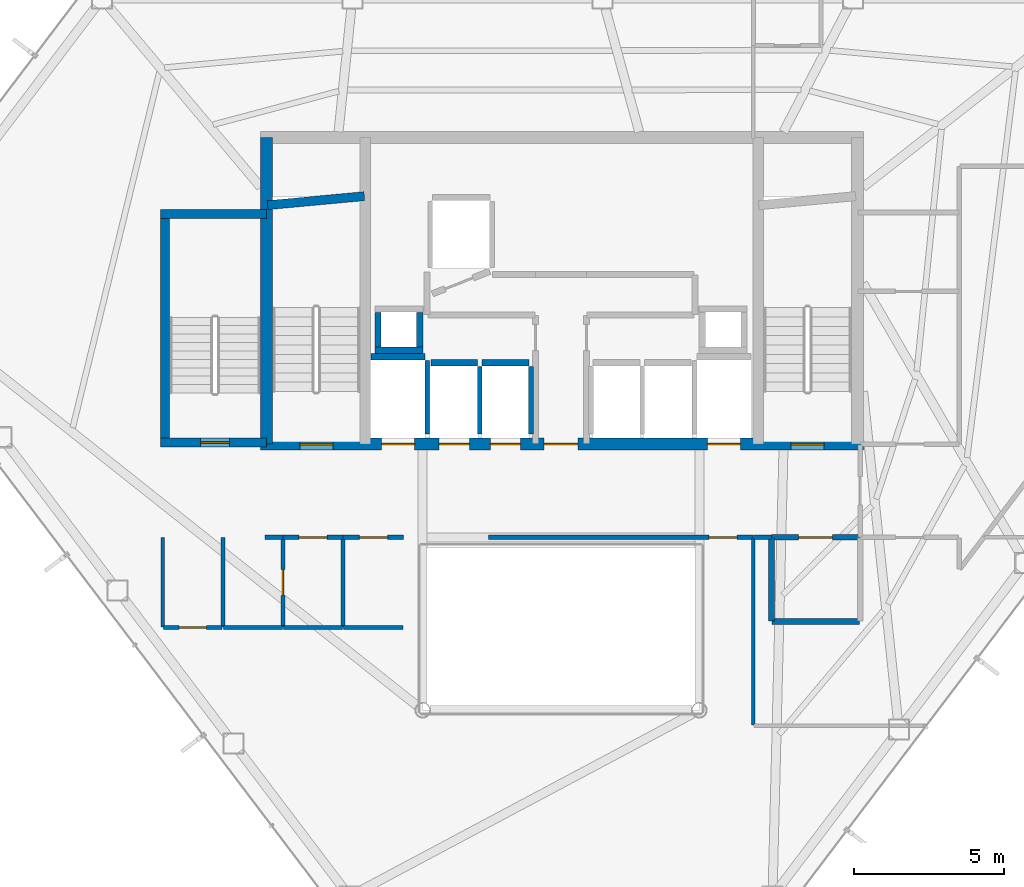
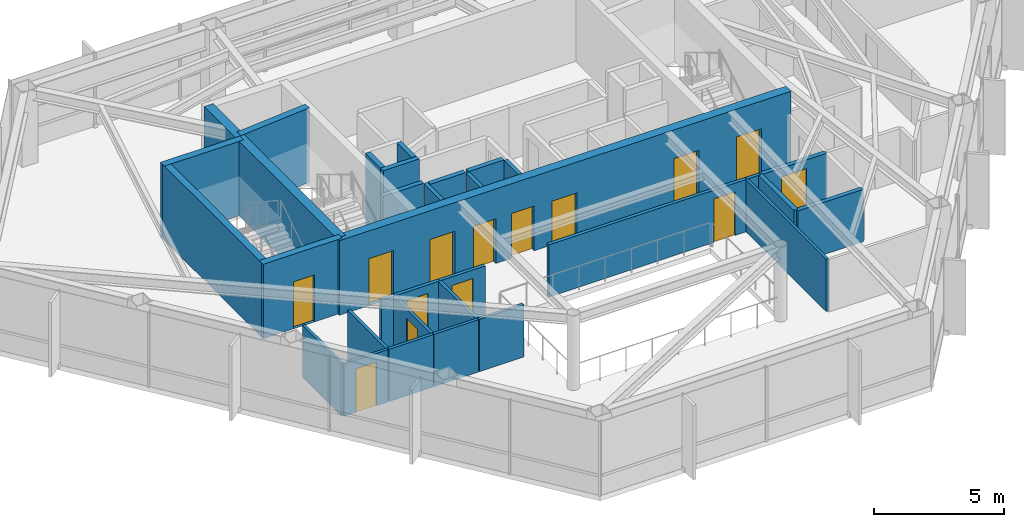
# One storey, part 24 of 27: 32 walls, 14 doors, 14 openings.
"""IFC4 building model written with IfcOpenShell, lengths in metres."""

from ifc_helpers import new_model, si_unit, direction, frame, frame_2d, origin, place, context, subcontext, project, spatial, rectangle, extrude, material, layer, layer_set, type_object, element, fill, save


model = new_model("IFC4")

# Units and contexts
model_context = context("Model", 3, precision=1e-05, world=origin(), true_north=direction((0.0, 1.0)))
body_context = subcontext(model_context, "Body", "Model", "MODEL_VIEW")
ifc_project = project(units=[si_unit("LENGTHUNIT", "METRE"), si_unit("AREAUNIT", "SQUARE_METRE"), si_unit("VOLUMEUNIT", "CUBIC_METRE"), si_unit("PLANEANGLEUNIT", "RADIAN"), si_unit("MASSUNIT", "GRAM", prefix="KILO")], contexts=[model_context])

# Site, building, storey
site_placement = place(None, origin())
site = spatial("IfcSite", under=ifc_project, at=site_placement, CompositionType="ELEMENT")
building_placement = place(site_placement, origin())
building = spatial("IfcBuilding", under=site, at=building_placement, Name="Zarrinselat Tower", CompositionType="ELEMENT")
storey_placement = place(building_placement, frame((0.0, 0.0, 175.780029296875)))
storey = spatial("IfcBuildingStorey", under=building, at=storey_placement, Name="L43", CompositionType="ELEMENT", Elevation=175.780029296875)

# Wall, opening, door
ifc_material_1 = material(Name="Concrete C40/50", Category="concrete")
ifc_layer_1 = layer(ifc_material_1, 0.18994140625)
ifc_layer_set_1 = layer_set([ifc_layer_1], Name="Concrete C40/50")
wall_type_1 = type_object("IfcWallType", Name="WAL-PART-EI120", PredefinedType="PARTITIONING", material=ifc_layer_set_1)
wall_1_placement = place(storey_placement, frame((45.405029296875, 30.14990234375, 0.0), z_axis=(0.0, 0.0, 1.0), x_axis=(1.0, 0.0, 0.0)))
wall_1 = element("IfcWall", 1, at=wall_1_placement, inside=storey, type_object=wall_type_1, Name="L43 Partition Wall 10", PredefinedType="PARTITIONING", context=body_context, shape_type="SweptSolid", body=[
    extrude(rectangle(XDim=2.925048828125, YDim=0.18994140625, at=frame_2d((1.46240234375, 0.0))), origin(), (0.0, 0.0, 1.0), 2.45703125),
])
opening_1_placement = place(wall_1_placement, frame((0.902587890625, 0.0, 0.0)))
opening_1 = element("IfcOpeningElement", 2, at=opening_1_placement, cuts=wall_1, Name="Opening ID-02", PredefinedType="OPENING", context=body_context, shape_type="SweptSolid", body=[
    extrude(rectangle(XDim=1.1201171875, YDim=2.050048828125, at=frame_2d((0.56005859375, 1.02490234375))), frame((0.0, 0.10498046875, 0.0), z_axis=(0.0, -1.0, 0.0), x_axis=(1.0, 0.0, 0.0)), (0.0, 0.0, 1.0), 0.2099609375),
])
ifc_material_2 = material(Name="Steel S355J2", Category="steel")
door_type_1 = type_object("IfcDoorType", Name="DR-INT-FD60-W", OperationType="NOTDEFINED", PredefinedType="DOOR", material=ifc_material_2)
door_1_placement = place(opening_1_placement, origin())
door_1 = element("IfcDoor", 3, at=door_1_placement, inside=storey, type_object=door_type_1, Name="L43 Interior Door P10", OperationType="SINGLE_SWING_LEFT", OverallHeight=2.050048828125, OverallWidth=1.1201171875, PredefinedType="DOOR", context=body_context, shape_type="SweptSolid", body=[
    extrude(rectangle(XDim=1.1201171875, YDim=2.050048828125, at=frame_2d((0.56005859375, 1.02490234375))), frame((0.0, 0.02490234375, 0.0), z_axis=(0.0, -1.0, 0.0), x_axis=(1.0, 0.0, 0.0)), (0.0, 0.0, 1.0), 0.050048828125),
])
fill(opening_1, door_1)

# Walls
wall_2_placement = place(storey_placement, frame((45.419921875, 27.35009765625, 0.0), z_axis=(0.0, 0.0, 1.0), x_axis=(1.0, 0.0, 0.0)))
element("IfcWall", 4, at=wall_2_placement, inside=storey, type_object=wall_type_1, Name="L43 Partition Wall 17", PredefinedType="PARTITIONING", context=body_context, shape_type="SweptSolid", body=[
    extrude(rectangle(XDim=2.91015625, YDim=0.18994140625, at=frame_2d((1.455078125, 0.0))), origin(), (0.0, 0.0, 1.0), 2.45703125),
])
wall_3_placement = place(storey_placement, frame((45.39990234375, 27.3701171875, 0.0), z_axis=(0.0, 0.0, 1.0), x_axis=(0.0, 1.0, 0.0)))
element("IfcWall", 5, at=wall_3_placement, inside=storey, type_object=wall_type_1, Name="L43 Partition Wall 18", PredefinedType="PARTITIONING", context=body_context, shape_type="SweptSolid", body=[
    extrude(rectangle(XDim=2.759765625, YDim=0.18994140625, at=frame_2d((1.3798828125, 0.0))), origin(), (0.0, 0.0, 1.0), 2.45703125),
])
ifc_material_3 = material(Name="Fire-Rated Gypsum Board Partition", Category="gypsum")
ifc_layer_2 = layer(ifc_material_3, 0.14990234375)
ifc_layer_set_2 = layer_set([ifc_layer_2], Name="Fire-Rated Gypsum Board Partition")
wall_type_2 = type_object("IfcWallType", Name="WAL-PART-EI60", PredefinedType="PARTITIONING", material=ifc_layer_set_2)
wall_4_placement = place(storey_placement, frame((28.550048828125, 30.14990234375, 0.0), z_axis=(0.0, 0.0, 1.0), x_axis=(1.0, 0.0, 0.0)))
element("IfcWall", 6, at=wall_4_placement, inside=storey, type_object=wall_type_2, Name="L43 Partition Wall 12", PredefinedType="PARTITIONING", context=body_context, shape_type="SweptSolid", body=[
    extrude(rectangle(XDim=0.594970703125, YDim=0.14990234375, at=frame_2d((0.29736328125, 0.0))), origin(), (0.0, 0.0, 1.0), 2.45703125),
])

# Wall, opening, door
wall_5_placement = place(storey_placement, frame((29.155029296875, 30.14990234375, 0.0), z_axis=(0.0, 0.0, 1.0), x_axis=(1.0, 0.0, 0.0)))
wall_5 = element("IfcWall", 7, at=wall_5_placement, inside=storey, type_object=wall_type_2, Name="L43 Partition Wall 13", PredefinedType="PARTITIONING", context=body_context, shape_type="SweptSolid", body=[
    extrude(rectangle(XDim=1.989990234375, YDim=0.14990234375, at=frame_2d((0.9951171875, 0.0))), origin(), (0.0, 0.0, 1.0), 2.45703125),
])
opening_2_placement = place(wall_5_placement, frame((0.52490234375, 0.0, 0.0)))
opening_2 = element("IfcOpeningElement", 8, at=opening_2_placement, cuts=wall_5, Name="Opening ID-04", PredefinedType="OPENING", context=body_context, shape_type="SweptSolid", body=[
    extrude(rectangle(XDim=0.93994140625, YDim=2.050048828125, at=frame_2d((0.469970703125, 1.02490234375))), frame((0.0, 0.0849609375, 0.0), z_axis=(0.0, -1.0, 0.0), x_axis=(1.0, 0.0, 0.0)), (0.0, 0.0, 1.0), 0.169921875),
])
ifc_material_4 = material(Name="Fire-Rated Gypsum Board Partition")
door_type_2 = type_object("IfcDoorType", Name="DR-INT-FD30-ENT", OperationType="NOTDEFINED", PredefinedType="DOOR", material=ifc_material_4)
door_2_placement = place(opening_2_placement, origin())
door_2 = element("IfcDoor", 9, at=door_2_placement, inside=storey, type_object=door_type_2, Name="L43 Interior Door P13", OperationType="SINGLE_SWING_LEFT", OverallHeight=2.050048828125, OverallWidth=0.93994140625, PredefinedType="DOOR", context=body_context, shape_type="SweptSolid", body=[
    extrude(rectangle(XDim=0.93994140625, YDim=2.050048828125, at=frame_2d((0.469970703125, 1.02490234375))), frame((0.0, 0.02490234375, 0.0), z_axis=(0.0, -1.0, 0.0), x_axis=(1.0, 0.0, 0.0)), (0.0, 0.0, 1.0), 0.050048828125),
])
fill(opening_2, door_2)

wall_6_placement = place(storey_placement, frame((31.155029296875, 30.14990234375, 0.0), z_axis=(0.0, 0.0, 1.0), x_axis=(1.0, 0.0, 0.0)))
wall_6 = element("IfcWall", 10, at=wall_6_placement, inside=storey, type_object=wall_type_2, Name="L43 Partition Wall 14", PredefinedType="PARTITIONING", context=body_context, shape_type="SweptSolid", body=[
    extrude(rectangle(XDim=2.010009765625, YDim=0.14990234375, at=frame_2d((1.0048828125, 0.0))), origin(), (0.0, 0.0, 1.0), 2.45703125),
])
opening_3_placement = place(wall_6_placement, frame((0.534912109375, 0.0, 0.0)))
opening_3 = element("IfcOpeningElement", 11, at=opening_3_placement, cuts=wall_6, Name="Opening ID-04", PredefinedType="OPENING", context=body_context, shape_type="SweptSolid", body=[
    extrude(rectangle(XDim=0.93994140625, YDim=2.050048828125, at=frame_2d((0.469970703125, 1.02490234375))), frame((0.0, 0.0849609375, 0.0), z_axis=(0.0, -1.0, 0.0), x_axis=(1.0, 0.0, 0.0)), (0.0, 0.0, 1.0), 0.169921875),
])
door_3_placement = place(opening_3_placement, origin())
door_3 = element("IfcDoor", 12, at=door_3_placement, inside=storey, type_object=door_type_2, Name="L43 Interior Door P14", OperationType="SINGLE_SWING_RIGHT", OverallHeight=2.050048828125, OverallWidth=0.93994140625, PredefinedType="DOOR", context=body_context, shape_type="SweptSolid", body=[
    extrude(rectangle(XDim=0.93994140625, YDim=2.050048828125, at=frame_2d((0.469970703125, 1.02490234375))), frame((0.0, 0.02490234375, 0.0), z_axis=(0.0, -1.0, 0.0), x_axis=(1.0, 0.0, 0.0)), (0.0, 0.0, 1.0), 0.050048828125),
])
fill(opening_3, door_3)

wall_7_placement = place(storey_placement, frame((35.985107421875, 30.14990234375, 0.0), z_axis=(0.0, 0.0, 1.0), x_axis=(1.0, 0.0, 0.0)))
wall_7 = element("IfcWall", 13, at=wall_7_placement, inside=storey, type_object=wall_type_2, Name="L43 Partition Wall 15", PredefinedType="PARTITIONING", context=body_context, shape_type="SweptSolid", body=[
    extrude(rectangle(XDim=8.809814453125, YDim=0.14990234375, at=frame_2d((4.40478515625, 0.0))), origin(), (0.0, 0.0, 1.0), 2.45703125),
])
opening_4_placement = place(wall_7_placement, frame((7.3349609375, 0.0, 0.0)))
opening_4 = element("IfcOpeningElement", 14, at=opening_4_placement, cuts=wall_7, Name="Opening ID-04", PredefinedType="OPENING", context=body_context, shape_type="SweptSolid", body=[
    extrude(rectangle(XDim=0.93994140625, YDim=2.050048828125, at=frame_2d((0.469970703125, 1.02490234375))), frame((0.0, 0.0849609375, 0.0), z_axis=(0.0, -1.0, 0.0), x_axis=(1.0, 0.0, 0.0)), (0.0, 0.0, 1.0), 0.169921875),
])
door_4_placement = place(opening_4_placement, origin())
door_4 = element("IfcDoor", 15, at=door_4_placement, inside=storey, type_object=door_type_2, Name="L43 Interior Door P15", OperationType="SINGLE_SWING_LEFT", OverallHeight=2.050048828125, OverallWidth=0.93994140625, PredefinedType="DOOR", context=body_context, shape_type="SweptSolid", body=[
    extrude(rectangle(XDim=0.93994140625, YDim=2.050048828125, at=frame_2d((0.469970703125, 1.02490234375))), frame((0.0, 0.02490234375, 0.0), z_axis=(0.0, -1.0, 0.0), x_axis=(1.0, 0.0, 0.0)), (0.0, 0.0, 1.0), 0.050048828125),
])
fill(opening_4, door_4)

# Wall
wall_8_placement = place(storey_placement, frame((44.804931640625, 30.14990234375, 0.0), z_axis=(0.0, 0.0, 1.0), x_axis=(1.0, 0.0, 0.0)))
element("IfcWall", 16, at=wall_8_placement, inside=storey, type_object=wall_type_2, Name="L43 Partition Wall 16", PredefinedType="PARTITIONING", context=body_context, shape_type="SweptSolid", body=[
    extrude(rectangle(XDim=0.590087890625, YDim=0.14990234375, at=frame_2d((0.294921875, 0.0))), origin(), (0.0, 0.0, 1.0), 2.45703125),
])

# Wall, opening, door
ifc_material_5 = material(Name="Fire-Rated Gypsum Board Partition", Category="gypsum")
ifc_layer_3 = layer(ifc_material_5, 0.1201171875)
ifc_layer_set_3 = layer_set([ifc_layer_3], Name="Fire-Rated Gypsum Board Partition")
wall_type_3 = type_object("IfcWallType", Name="WAL-PART-STD", PredefinedType="PARTITIONING", material=ifc_layer_set_3)
wall_9_placement = place(storey_placement, frame((25.169921875, 27.14990234375, 0.0), z_axis=(0.0, 0.0, 1.0), x_axis=(1.0, 0.0, 0.0)))
wall_9 = element("IfcWall", 17, at=wall_9_placement, inside=storey, type_object=wall_type_3, Name="L43 Partition Wall 31", PredefinedType="PARTITIONING", context=body_context, shape_type="SweptSolid", body=[
    extrude(rectangle(XDim=1.9599609375, YDim=0.1201171875, at=frame_2d((0.97998046875, 0.0))), origin(), (0.0, 0.0, 1.0), 2.45703125),
])
opening_5_placement = place(wall_9_placement, frame((0.530029296875, 0.0, 0.0)))
opening_5 = element("IfcOpeningElement", 18, at=opening_5_placement, cuts=wall_9, Name="Opening ID-05", PredefinedType="OPENING", context=body_context, shape_type="SweptSolid", body=[
    extrude(rectangle(XDim=0.89990234375, YDim=2.050048828125, at=frame_2d((0.449951171875, 1.02490234375))), frame((0.0, 0.070068359375, 0.0), z_axis=(0.0, -1.0, 0.0), x_axis=(1.0, 0.0, 0.0)), (0.0, 0.0, 1.0), 0.14013671875),
])
ifc_material_6 = material(Name="Extruded Aluminium Alloy EN AW-6063 T6", Category="aluminium")
door_type_3 = type_object("IfcDoorType", Name="DR-INT-STD-920", OperationType="NOTDEFINED", PredefinedType="DOOR", material=ifc_material_6)
door_5_placement = place(opening_5_placement, origin())
door_5 = element("IfcDoor", 19, at=door_5_placement, inside=storey, type_object=door_type_3, Name="L43 Interior Door P31", OperationType="SINGLE_SWING_RIGHT", OverallHeight=2.050048828125, OverallWidth=0.89990234375, PredefinedType="DOOR", context=body_context, shape_type="SweptSolid", body=[
    extrude(rectangle(XDim=0.89990234375, YDim=2.050048828125, at=frame_2d((0.449951171875, 1.02490234375))), frame((0.0, 0.02490234375, 0.0), z_axis=(0.0, -1.0, 0.0), x_axis=(1.0, 0.0, 0.0)), (0.0, 0.0, 1.0), 0.050048828125),
])
fill(opening_5, door_5)

# Walls
wall_10_placement = place(storey_placement, frame((25.14990234375, 27.169921875, 0.0), z_axis=(0.0, 0.0, 1.0), x_axis=(0.0, 1.0, 0.0)))
element("IfcWall", 20, at=wall_10_placement, inside=storey, type_object=wall_type_3, Name="L43 Partition Wall 32", PredefinedType="PARTITIONING", context=body_context, shape_type="SweptSolid", body=[
    extrude(rectangle(XDim=2.97998046875, YDim=0.1201171875, at=frame_2d((1.489990234375, 0.0))), origin(), (0.0, 0.0, 1.0), 2.45703125),
])
wall_11_placement = place(storey_placement, frame((44.800048828125, 23.902587890625, 0.0), z_axis=(0.0, 0.0, 1.0), x_axis=(0.0, 1.0, 0.0)))
element("IfcWall", 21, at=wall_11_placement, inside=storey, type_object=wall_type_3, Name="L43 Partition Wall 38", PredefinedType="PARTITIONING", context=body_context, shape_type="SweptSolid", body=[
    extrude(rectangle(XDim=6.227294921875, YDim=0.1201171875, at=frame_2d((3.11376953125, 0.0))), origin(), (0.0, 0.0, 1.0), 2.45703125),
])
ifc_material_7 = material(Name="Fire-Rated Gypsum Board Partition", Category="gypsum")
ifc_layer_4 = layer(ifc_material_7, 0.135009765625)
ifc_layer_set_4 = layer_set([ifc_layer_4], Name="Fire-Rated Gypsum Board Partition")
wall_type_4 = type_object("IfcWallType", Name="WAL-PART-WET", PredefinedType="PARTITIONING", material=ifc_layer_set_4)
wall_12_placement = place(storey_placement, frame((27.14990234375, 27.169921875, 0.0), z_axis=(0.0, 0.0, 1.0), x_axis=(0.0, 1.0, 0.0)))
element("IfcWall", 22, at=wall_12_placement, inside=storey, type_object=wall_type_4, Name="L43 Partition Wall 30", PredefinedType="PARTITIONING", context=body_context, shape_type="SweptSolid", body=[
    extrude(rectangle(XDim=2.97998046875, YDim=0.135009765625, at=frame_2d((1.489990234375, 0.0))), origin(), (0.0, 0.0, 1.0), 2.45703125),
])

# Wall, opening, door
wall_13_placement = place(storey_placement, frame((29.14990234375, 27.169921875, 0.0), z_axis=(0.0, 0.0, 1.0), x_axis=(0.0, 1.0, 0.0)))
wall_13 = element("IfcWall", 23, at=wall_13_placement, inside=storey, type_object=wall_type_4, Name="L43 Partition Wall 33", PredefinedType="PARTITIONING", context=body_context, shape_type="SweptSolid", body=[
    extrude(rectangle(XDim=2.9599609375, YDim=0.135009765625, at=frame_2d((1.47998046875, 0.0))), origin(), (0.0, 0.0, 1.0), 2.45703125),
])
opening_6_placement = place(wall_13_placement, frame((1.050048828125, 0.0, 0.0)))
opening_6 = element("IfcOpeningElement", 24, at=opening_6_placement, cuts=wall_13, Name="Opening ID-06", PredefinedType="OPENING", context=body_context, shape_type="SweptSolid", body=[
    extrude(rectangle(XDim=0.860107421875, YDim=2.050048828125, at=frame_2d((0.43017578125, 1.02490234375))), frame((0.0, 0.077392578125, 0.0), z_axis=(0.0, -1.0, 0.0), x_axis=(1.0, 0.0, 0.0)), (0.0, 0.0, 1.0), 0.155029296875),
])
ifc_material_8 = material(Name="Extruded Aluminium Alloy EN AW-6063 T6", Category="aluminium")
door_type_4 = type_object("IfcDoorType", Name="DR-INT-WET-900", OperationType="NOTDEFINED", PredefinedType="DOOR", material=ifc_material_8)
door_6_placement = place(opening_6_placement, origin())
door_6 = element("IfcDoor", 25, at=door_6_placement, inside=storey, type_object=door_type_4, Name="L43 Interior Door P33", OperationType="SINGLE_SWING_LEFT", OverallHeight=2.050048828125, OverallWidth=0.860107421875, PredefinedType="DOOR", context=body_context, shape_type="SweptSolid", body=[
    extrude(rectangle(XDim=0.860107421875, YDim=2.050048828125, at=frame_2d((0.43017578125, 1.02490234375))), frame((0.0, 0.02490234375, 0.0), z_axis=(0.0, -1.0, 0.0), x_axis=(1.0, 0.0, 0.0)), (0.0, 0.0, 1.0), 0.050048828125),
])
fill(opening_6, door_6)

# Walls
wall_14_placement = place(storey_placement, frame((27.169921875, 27.14990234375, 0.0), z_axis=(0.0, 0.0, 1.0), x_axis=(1.0, 0.0, 0.0)))
element("IfcWall", 26, at=wall_14_placement, inside=storey, type_object=wall_type_4, Name="L43 Partition Wall 34", PredefinedType="PARTITIONING", context=body_context, shape_type="SweptSolid", body=[
    extrude(rectangle(XDim=1.9599609375, YDim=0.135009765625, at=frame_2d((0.97998046875, 0.0))), origin(), (0.0, 0.0, 1.0), 2.45703125),
])
wall_15_placement = place(storey_placement, frame((31.14990234375, 27.169921875, 0.0), z_axis=(0.0, 0.0, 1.0), x_axis=(0.0, 1.0, 0.0)))
element("IfcWall", 27, at=wall_15_placement, inside=storey, type_object=wall_type_4, Name="L43 Partition Wall 35", PredefinedType="PARTITIONING", context=body_context, shape_type="SweptSolid", body=[
    extrude(rectangle(XDim=2.9599609375, YDim=0.135009765625, at=frame_2d((1.47998046875, 0.0))), origin(), (0.0, 0.0, 1.0), 2.45703125),
])
wall_16_placement = place(storey_placement, frame((29.169921875, 27.14990234375, 0.0), z_axis=(0.0, 0.0, 1.0), x_axis=(1.0, 0.0, 0.0)))
element("IfcWall", 28, at=wall_16_placement, inside=storey, type_object=wall_type_4, Name="L43 Partition Wall 36", PredefinedType="PARTITIONING", context=body_context, shape_type="SweptSolid", body=[
    extrude(rectangle(XDim=1.9599609375, YDim=0.135009765625, at=frame_2d((0.97998046875, 0.0))), origin(), (0.0, 0.0, 1.0), 2.45703125),
])
wall_17_placement = place(storey_placement, frame((31.169921875, 27.14990234375, 0.0), z_axis=(0.0, 0.0, 1.0), x_axis=(1.0, 0.0, 0.0)))
element("IfcWall", 29, at=wall_17_placement, inside=storey, type_object=wall_type_4, Name="L43 Partition Wall 37", PredefinedType="PARTITIONING", context=body_context, shape_type="SweptSolid", body=[
    extrude(rectangle(XDim=1.97998046875, YDim=0.135009765625, at=frame_2d((0.989990234375, 0.0))), origin(), (0.0, 0.0, 1.0), 2.45703125),
])
ifc_material_9 = material(Name="Concrete C40/50", Category="concrete")
ifc_layer_5 = layer(ifc_material_9, 0.2099609375)
ifc_layer_set_5 = layer_set([ifc_layer_5], Name="Concrete C40/50")
wall_type_5 = type_object("IfcWallType", Name="WAL-SHAFT-210", PredefinedType="SOLIDWALL", material=ifc_layer_set_5)
wall_18_placement = place(storey_placement, frame((32.080078125, 36.155029296875, 0.0), z_axis=(0.0, 0.0, 1.0), x_axis=(1.0, 0.0, 0.0)))
element("IfcWall", 30, at=wall_18_placement, inside=storey, type_object=wall_type_5, Name="L43 Lift FFL1 North Shaft Wall", PredefinedType="SOLIDWALL", context=body_context, shape_type="SweptSolid", body=[
    extrude(rectangle(XDim=1.7998046875, YDim=0.2099609375, at=frame_2d((0.89990234375, 0.0))), origin(), (0.0, 0.0, 1.0), 2.471923828125),
])
wall_19_placement = place(storey_placement, frame((33.949951171875, 33.580078125, 0.0), z_axis=(0.0, 0.0, 1.0), x_axis=(0.0, 1.0, 0.0)))
element("IfcWall", 31, at=wall_19_placement, inside=storey, type_object=wall_type_5, Name="L43 Lift FFL1 E Shaft Wall", PredefinedType="SOLIDWALL", context=body_context, shape_type="SweptSolid", body=[
    extrude(rectangle(XDim=2.449951171875, YDim=0.159912109375, at=frame_2d((1.22509765625, 0.0))), origin(), (0.0, 0.0, 1.0), 2.471923828125),
])
wall_20_placement = place(storey_placement, frame((34.070068359375, 35.955078125, 0.0), z_axis=(0.0, 0.0, 1.0), x_axis=(1.0, 0.0, 0.0)))
element("IfcWall", 32, at=wall_20_placement, inside=storey, type_object=wall_type_5, Name="L43 Lift PL5 North Shaft Wall", PredefinedType="SOLIDWALL", context=body_context, shape_type="SweptSolid", body=[
    extrude(rectangle(XDim=1.559814453125, YDim=0.2099609375, at=frame_2d((0.77978515625, 0.0))), origin(), (0.0, 0.0, 1.0), 2.471923828125),
])
wall_21_placement = place(storey_placement, frame((35.699951171875, 33.580078125, 0.0), z_axis=(0.0, 0.0, 1.0), x_axis=(0.0, 1.0, 0.0)))
element("IfcWall", 33, at=wall_21_placement, inside=storey, type_object=wall_type_5, Name="L43 Lift PL5 E Shaft Wall", PredefinedType="SOLIDWALL", context=body_context, shape_type="SweptSolid", body=[
    extrude(rectangle(XDim=2.25, YDim=0.159912109375, at=frame_2d((1.125, 0.0))), origin(), (0.0, 0.0, 1.0), 2.471923828125),
])
wall_22_placement = place(storey_placement, frame((35.77001953125, 35.955078125, 0.0), z_axis=(0.0, 0.0, 1.0), x_axis=(1.0, 0.0, 0.0)))
element("IfcWall", 34, at=wall_22_placement, inside=storey, type_object=wall_type_5, Name="L43 Lift PL6 North Shaft Wall", PredefinedType="SOLIDWALL", context=body_context, shape_type="SweptSolid", body=[
    extrude(rectangle(XDim=1.56005859375, YDim=0.2099609375, at=frame_2d((0.780029296875, 0.0))), origin(), (0.0, 0.0, 1.0), 2.471923828125),
])
wall_23_placement = place(storey_placement, frame((37.39990234375, 33.580078125, 0.0), z_axis=(0.0, 0.0, 1.0), x_axis=(0.0, 1.0, 0.0)))
element("IfcWall", 35, at=wall_23_placement, inside=storey, type_object=wall_type_5, Name="L43 Lift PL6 E Shaft Wall", PredefinedType="SOLIDWALL", context=body_context, shape_type="SweptSolid", body=[
    extrude(rectangle(XDim=2.25, YDim=0.159912109375, at=frame_2d((1.125, 0.0))), origin(), (0.0, 0.0, 1.0), 2.471923828125),
])
wall_24_placement = place(storey_placement, frame((32.2099609375, 36.375, 0.0), z_axis=(0.0, 0.0, 1.0), x_axis=(1.0, 0.0, 0.0)))
element("IfcWall", 36, at=wall_24_placement, inside=storey, type_object=wall_type_5, Name="L43 Core Riser RSR-W S Shaft Wall", PredefinedType="SOLIDWALL", context=body_context, shape_type="SweptSolid", body=[
    extrude(rectangle(XDim=1.60009765625, YDim=0.2099609375, at=frame_2d((0.800048828125, 0.0))), origin(), (0.0, 0.0, 1.0), 3.5),
])
for number, where, z_axis, x_axis, name in (
    (37, (32.31494140625, 36.485107421875, 0.0), (0.0, 0.0, 1.0), (0.0, 1.0, 0.0), "L43 Core Riser RSR-W W Shaft Wall"),
    (38, (33.705078125, 36.485107421875, 0.0), (0.0, 0.0, 1.0), (0.0, 1.0, 0.0), "L43 Core Riser RSR-W E Shaft Wall"),
):
    element("IfcWall", number, at=place(storey_placement, frame(where, z_axis=z_axis, x_axis=x_axis)), inside=storey, type_object=wall_type_5, Name=name, PredefinedType="SOLIDWALL", context=body_context, shape_type="SweptSolid", body=[
        extrude(rectangle(XDim=1.14990234375, YDim=0.2099609375, at=frame_2d((0.574951171875, 0.0))), origin(), (0.0, 0.0, 1.0), 3.5),
    ])
ifc_material_10 = material(Name="Concrete C40/50", Category="concrete")
ifc_layer_6 = layer(ifc_material_10, 0.300048828125)
ifc_layer_set_6 = layer_set([ifc_layer_6], Name="Concrete C40/50")
wall_type_6 = type_object("IfcWallType", Name="WAL-SHEAR-300", PredefinedType="SHEAR", material=ifc_layer_set_6)
wall_25_placement = place(storey_placement, frame((28.639892578125, 41.199951171875, 0.0), z_axis=(0.0, 0.0, 1.0), x_axis=(0.995687118776, 0.092774789157, 0.0)))
element("IfcWall", 39, at=wall_25_placement, inside=storey, type_object=wall_type_6, Name="L43 Stair 1 North Shaft Wall", PredefinedType="SHEAR", context=body_context, shape_type="SweptSolid", body=[
    extrude(rectangle(XDim=3.234130859375, YDim=0.300048828125, at=frame_2d((1.6171875, 0.0))), origin(), (0.0, 0.0, 1.0), 3.5),
])
wall_26_placement = place(storey_placement, frame((25.080078125, 40.89990234375, 0.0), z_axis=(0.0, 0.0, 1.0), x_axis=(1.0, 0.0, 0.0)))
element("IfcWall", 40, at=wall_26_placement, inside=storey, type_object=wall_type_6, Name="L43 Stair 3 North Shear Wall", PredefinedType="SHEAR", context=body_context, shape_type="SweptSolid", body=[
    extrude(rectangle(XDim=3.52001953125, YDim=0.300048828125, at=frame_2d((1.760009765625, 0.0))), origin(), (0.0, 0.0, 1.0), 3.5),
])

# Wall, opening, door
wall_27_placement = place(storey_placement, frame((25.080078125, 33.300048828125, 0.0), z_axis=(0.0, 0.0, 1.0), x_axis=(1.0, 0.0, 0.0)))
wall_27 = element("IfcWall", 41, at=wall_27_placement, inside=storey, type_object=wall_type_6, Name="L43 Stair 3 South Shear Wall", PredefinedType="SHEAR", context=body_context, shape_type="SweptSolid", body=[
    extrude(rectangle(XDim=3.52001953125, YDim=0.300048828125, at=frame_2d((1.760009765625, 0.0))), origin(), (0.0, 0.0, 1.0), 3.5),
])
opening_7_placement = place(wall_27_placement, frame((1.3349609375, 0.0, 0.0)))
opening_7 = element("IfcOpeningElement", 42, at=opening_7_placement, cuts=wall_27, Name="Opening SD-02", PredefinedType="OPENING", context=body_context, shape_type="SweptSolid", body=[
    extrude(rectangle(XDim=0.949951171875, YDim=2.199951171875, at=frame_2d((0.47509765625, 1.10009765625))), frame((0.0, 0.159912109375, 0.0), z_axis=(0.0, -1.0, 0.0), x_axis=(1.0, 0.0, 0.0)), (0.0, 0.0, 1.0), 0.320068359375),
])
ifc_material_11 = material(Name="Steel S355J2", Category="steel")
door_type_5 = type_object("IfcDoorType", Name="DR-STAIR-1050", OperationType="NOTDEFINED", PredefinedType="DOOR", material=ifc_material_11)
door_7_placement = place(opening_7_placement, origin())
door_7 = element("IfcDoor", 43, at=door_7_placement, inside=storey, type_object=door_type_5, Name="L43 Exit Stair 3 Fire Door", OperationType="SINGLE_SWING_LEFT", OverallHeight=2.199951171875, OverallWidth=0.949951171875, PredefinedType="DOOR", context=body_context, shape_type="SweptSolid", body=[
    extrude(rectangle(XDim=0.949951171875, YDim=2.199951171875, at=frame_2d((0.47509765625, 1.10009765625))), frame((0.0, 0.02490234375, 0.0), z_axis=(0.0, -1.0, 0.0), x_axis=(1.0, 0.0, 0.0)), (0.0, 0.0, 1.0), 0.050048828125),
])
fill(opening_7, door_7)

# Wall
wall_28_placement = place(storey_placement, frame((25.22998046875, 33.300048828125, 0.0), z_axis=(0.0, 0.0, 1.0), x_axis=(0.0, 1.0, 0.0)))
element("IfcWall", 44, at=wall_28_placement, inside=storey, type_object=wall_type_6, Name="L43 Stair 3 West Shear Wall", PredefinedType="SHEAR", context=body_context, shape_type="SweptSolid", body=[
    extrude(rectangle(XDim=7.599853515625, YDim=0.300048828125, at=frame_2d((3.7998046875, 0.0))), origin(), (0.0, 0.0, 1.0), 3.5),
])

# Wall, openings, doors
ifc_material_12 = material(Name="Concrete C60/75", Category="concrete")
ifc_layer_7 = layer(ifc_material_12, 0.39990234375)
ifc_layer_set_7 = layer_set([ifc_layer_7], Name="Concrete C60/75")
wall_type_7 = type_object("IfcWallType", Name="WAL-SHEAR-400", PredefinedType="SHEAR", material=ifc_layer_set_7)
wall_29_placement = place(storey_placement, frame((28.39990234375, 33.25, 0.0), z_axis=(0.0, 0.0, 1.0), x_axis=(1.0, 0.0, 0.0)))
wall_29 = element("IfcWall", 45, at=wall_29_placement, inside=storey, type_object=wall_type_7, Name="L43 South Core Shear Wall", PredefinedType="SHEAR", context=body_context, shape_type="SweptSolid", body=[
    extrude(rectangle(XDim=20.06005859375, YDim=0.39990234375, at=frame_2d((10.030029296875, 0.0))), origin(), (0.0, 0.0, 1.0), 3.5),
])
opening_8_placement = place(wall_29_placement, frame((4.030029296875, 0.0, 0.0)))
opening_8 = element("IfcOpeningElement", 46, at=opening_8_placement, cuts=wall_29, Name="Opening LD-FFL1", PredefinedType="OPENING", context=body_context, shape_type="SweptSolid", body=[
    extrude(rectangle(XDim=1.10009765625, YDim=2.14990234375, at=frame_2d((0.550048828125, 1.074951171875))), frame((0.0, 0.2099609375, 0.0), z_axis=(0.0, -1.0, 0.0), x_axis=(1.0, 0.0, 0.0)), (0.0, 0.0, 1.0), 0.419921875),
])
opening_9_placement = place(wall_29_placement, frame((14.8701171875, 0.0, 0.0)))
opening_9 = element("IfcOpeningElement", 47, at=opening_9_placement, cuts=wall_29, Name="Opening LD-FFL2", PredefinedType="OPENING", context=body_context, shape_type="SweptSolid", body=[
    extrude(rectangle(XDim=1.10009765625, YDim=2.14990234375, at=frame_2d((0.550048828125, 1.074951171875))), frame((0.0, 0.2099609375, 0.0), z_axis=(0.0, -1.0, 0.0), x_axis=(1.0, 0.0, 0.0)), (0.0, 0.0, 1.0), 0.419921875),
])
opening_10_placement = place(wall_29_placement, frame((5.949951171875, 0.0, 0.0)))
opening_10 = element("IfcOpeningElement", 48, at=opening_10_placement, cuts=wall_29, Name="Opening LD-PL5", PredefinedType="OPENING", context=body_context, shape_type="SweptSolid", body=[
    extrude(rectangle(XDim=1.0, YDim=2.10009765625, at=frame_2d((0.5, 1.050048828125))), frame((0.0, 0.2099609375, 0.0), z_axis=(0.0, -1.0, 0.0), x_axis=(1.0, 0.0, 0.0)), (0.0, 0.0, 1.0), 0.419921875),
])
opening_11_placement = place(wall_29_placement, frame((7.64990234375, 0.0, 0.0)))
opening_11 = element("IfcOpeningElement", 49, at=opening_11_placement, cuts=wall_29, Name="Opening LD-PL6", PredefinedType="OPENING", context=body_context, shape_type="SweptSolid", body=[
    extrude(rectangle(XDim=1.0, YDim=2.10009765625, at=frame_2d((0.5, 1.050048828125))), frame((0.0, 0.2099609375, 0.0), z_axis=(0.0, -1.0, 0.0), x_axis=(1.0, 0.0, 0.0)), (0.0, 0.0, 1.0), 0.419921875),
])
opening_12_placement = place(wall_29_placement, frame((1.31005859375, 0.0, 0.0)))
opening_12 = element("IfcOpeningElement", 50, at=opening_12_placement, cuts=wall_29, Name="Opening SD-01", PredefinedType="OPENING", context=body_context, shape_type="SweptSolid", body=[
    extrude(rectangle(XDim=1.10009765625, YDim=2.199951171875, at=frame_2d((0.550048828125, 1.10009765625))), frame((0.0, 0.2099609375, 0.0), z_axis=(0.0, -1.0, 0.0), x_axis=(1.0, 0.0, 0.0)), (0.0, 0.0, 1.0), 0.419921875),
])
opening_13_placement = place(wall_29_placement, frame((9.43994140625, 0.0, 0.0)))
opening_13 = element("IfcOpeningElement", 51, at=opening_13_placement, cuts=wall_29, Name="Opening ID-02", PredefinedType="OPENING", context=body_context, shape_type="SweptSolid", body=[
    extrude(rectangle(XDim=1.1201171875, YDim=2.050048828125, at=frame_2d((0.56005859375, 1.02490234375))), frame((0.0, 0.2099609375, 0.0), z_axis=(0.0, -1.0, 0.0), x_axis=(1.0, 0.0, 0.0)), (0.0, 0.0, 1.0), 0.419921875),
])
opening_14_placement = place(wall_29_placement, frame((17.64990234375, 0.0, 0.0)))
opening_14 = element("IfcOpeningElement", 52, at=opening_14_placement, cuts=wall_29, Name="Opening SD-01", PredefinedType="OPENING", context=body_context, shape_type="SweptSolid", body=[
    extrude(rectangle(XDim=1.10009765625, YDim=2.199951171875, at=frame_2d((0.550048828125, 1.10009765625))), frame((0.0, 0.2099609375, 0.0), z_axis=(0.0, -1.0, 0.0), x_axis=(1.0, 0.0, 0.0)), (0.0, 0.0, 1.0), 0.419921875),
])
door_8_placement = place(opening_13_placement, origin())
door_8 = element("IfcDoor", 53, at=door_8_placement, inside=storey, type_object=door_type_1, Name="L43 Core Service Vestibule Fire Door", OperationType="SINGLE_SWING_LEFT", OverallHeight=2.050048828125, OverallWidth=1.1201171875, PredefinedType="DOOR", context=body_context, shape_type="SweptSolid", body=[
    extrude(rectangle(XDim=1.1201171875, YDim=2.050048828125, at=frame_2d((0.56005859375, 1.02490234375))), frame((0.0, 0.02490234375, 0.0), z_axis=(0.0, -1.0, 0.0), x_axis=(1.0, 0.0, 0.0)), (0.0, 0.0, 1.0), 0.050048828125),
])
fill(opening_13, door_8)
ifc_material_13 = material(Name="Steel S355J2", Category="steel")
door_type_6 = type_object("IfcDoorType", Name="DR-LIFT-FF-1100", OperationType="NOTDEFINED", PredefinedType="DOOR", material=ifc_material_13)
door_9_placement = place(opening_8_placement, origin())
door_9 = element("IfcDoor", 54, at=door_9_placement, inside=storey, type_object=door_type_6, Name="L43 Lift FFL1 Sliding Landing Door", OperationType="SLIDING_TO_LEFT", OverallHeight=2.14990234375, OverallWidth=1.10009765625, PredefinedType="DOOR", context=body_context, shape_type="SweptSolid", body=[
    extrude(rectangle(XDim=1.10009765625, YDim=2.14990234375, at=frame_2d((0.550048828125, 1.074951171875))), frame((0.0, 0.02490234375, 0.0), z_axis=(0.0, -1.0, 0.0), x_axis=(1.0, 0.0, 0.0)), (0.0, 0.0, 1.0), 0.050048828125),
])
fill(opening_8, door_9)
door_10_placement = place(opening_9_placement, origin())
door_10 = element("IfcDoor", 55, at=door_10_placement, inside=storey, type_object=door_type_6, Name="L43 Lift FFL2 Sliding Landing Door", OperationType="SLIDING_TO_RIGHT", OverallHeight=2.14990234375, OverallWidth=1.10009765625, PredefinedType="DOOR", context=body_context, shape_type="SweptSolid", body=[
    extrude(rectangle(XDim=1.10009765625, YDim=2.14990234375, at=frame_2d((0.550048828125, 1.074951171875))), frame((0.0, 0.02490234375, 0.0), z_axis=(0.0, -1.0, 0.0), x_axis=(1.0, 0.0, 0.0)), (0.0, 0.0, 1.0), 0.050048828125),
])
fill(opening_9, door_10)
ifc_material_14 = material(Name="Steel S355J2", Category="steel")
door_type_7 = type_object("IfcDoorType", Name="DR-LIFT-PS-1000", OperationType="NOTDEFINED", PredefinedType="DOOR", material=ifc_material_14)
door_11_placement = place(opening_10_placement, origin())
door_11 = element("IfcDoor", 56, at=door_11_placement, inside=storey, type_object=door_type_7, Name="L43 Lift PL5 Sliding Landing Door", OperationType="SLIDING_TO_LEFT", OverallHeight=2.10009765625, OverallWidth=1.0, PredefinedType="DOOR", context=body_context, shape_type="SweptSolid", body=[
    extrude(rectangle(XDim=1.0, YDim=2.10009765625, at=frame_2d((0.5, 1.050048828125))), frame((0.0, 0.02490234375, 0.0), z_axis=(0.0, -1.0, 0.0), x_axis=(1.0, 0.0, 0.0)), (0.0, 0.0, 1.0), 0.050048828125),
])
fill(opening_10, door_11)
door_12_placement = place(opening_11_placement, origin())
door_12 = element("IfcDoor", 57, at=door_12_placement, inside=storey, type_object=door_type_7, Name="L43 Lift PL6 Sliding Landing Door", OperationType="SLIDING_TO_RIGHT", OverallHeight=2.10009765625, OverallWidth=1.0, PredefinedType="DOOR", context=body_context, shape_type="SweptSolid", body=[
    extrude(rectangle(XDim=1.0, YDim=2.10009765625, at=frame_2d((0.5, 1.050048828125))), frame((0.0, 0.02490234375, 0.0), z_axis=(0.0, -1.0, 0.0), x_axis=(1.0, 0.0, 0.0)), (0.0, 0.0, 1.0), 0.050048828125),
])
fill(opening_11, door_12)
ifc_material_15 = material(Name="Steel S355J2", Category="steel")
door_type_8 = type_object("IfcDoorType", Name="DR-STAIR-1100", OperationType="NOTDEFINED", PredefinedType="DOOR", material=ifc_material_15)
door_13_placement = place(opening_12_placement, origin())
door_13 = element("IfcDoor", 58, at=door_13_placement, inside=storey, type_object=door_type_8, Name="L43 Exit Stair 1 Fire Door", OperationType="SINGLE_SWING_LEFT", OverallHeight=2.199951171875, OverallWidth=1.10009765625, PredefinedType="DOOR", context=body_context, shape_type="SweptSolid", body=[
    extrude(rectangle(XDim=1.10009765625, YDim=2.199951171875, at=frame_2d((0.550048828125, 1.10009765625))), frame((0.0, 0.02490234375, 0.0), z_axis=(0.0, -1.0, 0.0), x_axis=(1.0, 0.0, 0.0)), (0.0, 0.0, 1.0), 0.050048828125),
])
fill(opening_12, door_13)
door_14_placement = place(opening_14_placement, origin())
door_14 = element("IfcDoor", 59, at=door_14_placement, inside=storey, type_object=door_type_8, Name="L43 Exit Stair 2 Fire Door", OperationType="SINGLE_SWING_RIGHT", OverallHeight=2.199951171875, OverallWidth=1.10009765625, PredefinedType="DOOR", context=body_context, shape_type="SweptSolid", body=[
    extrude(rectangle(XDim=1.10009765625, YDim=2.199951171875, at=frame_2d((0.550048828125, 1.10009765625))), frame((0.0, 0.02490234375, 0.0), z_axis=(0.0, -1.0, 0.0), x_axis=(1.0, 0.0, 0.0)), (0.0, 0.0, 1.0), 0.050048828125),
])
fill(opening_14, door_14)

# Wall
wall_30_placement = place(storey_placement, frame((28.60009765625, 33.25, 0.0), z_axis=(0.0, 0.0, 1.0), x_axis=(0.0, 1.0, 0.0)))
element("IfcWall", 60, at=wall_30_placement, inside=storey, type_object=wall_type_7, Name="L43 Core Shear Wall W", PredefinedType="SHEAR", context=body_context, shape_type="SweptSolid", body=[
    extrude(rectangle(XDim=10.199951171875, YDim=0.39990234375, at=frame_2d((5.10009765625, 0.0))), origin(), (0.0, 0.0, 1.0), 3.5),
])

save(model, "model.ifc")
